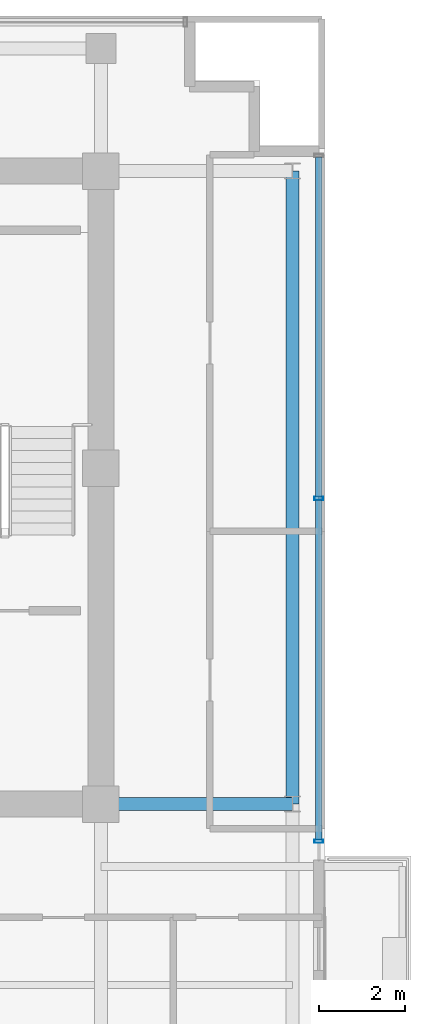
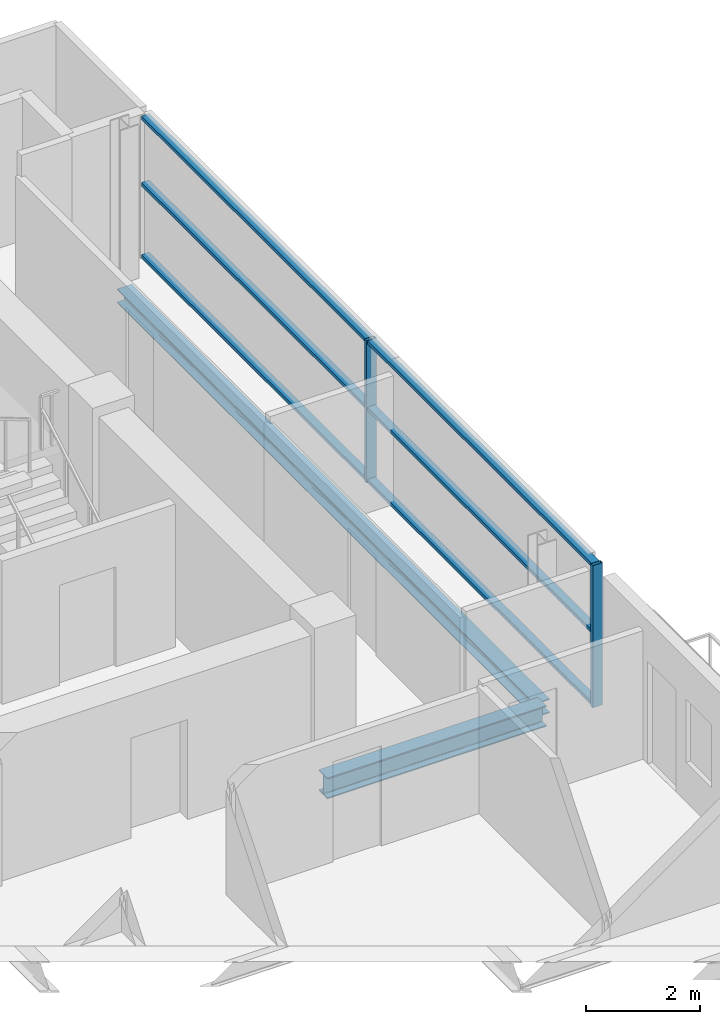
# One storey, part 11 of 23: 8 members, 2 beams, 1 element without a shape of its own.
"""IFC4 building model written with IfcOpenShell, lengths in metres."""

from ifc_helpers import new_model, si_unit, direction, frame, origin, origin_2d, place, context, subcontext, project, spatial, hollow_rectangle, i_section, extrude, source, transform, mapped, material, layer, layer_set, material_profile, profile_set, type_object, element, aggregate, save


model = new_model("IFC4")

# Units and contexts
model_context = context("Model", 3, precision=1e-05, world=origin(), true_north=direction((0.0, 1.0)))
body_context = subcontext(model_context, "Body", "Model", "MODEL_VIEW")
ifc_project = project(units=[si_unit("LENGTHUNIT", "METRE"), si_unit("AREAUNIT", "SQUARE_METRE"), si_unit("VOLUMEUNIT", "CUBIC_METRE"), si_unit("PLANEANGLEUNIT", "RADIAN"), si_unit("MASSUNIT", "GRAM", prefix="KILO")], contexts=[model_context])

# Site, building, storey
site_placement = place(None, origin())
site = spatial("IfcSite", under=ifc_project, at=site_placement, CompositionType="ELEMENT")
building_placement = place(site_placement, origin())
building = spatial("IfcBuilding", under=site, at=building_placement, Name="Zarnakvel Exchange Tower", CompositionType="ELEMENT")
storey_placement = place(building_placement, frame((0.0, 0.0, 212.199951171875)))
storey = spatial("IfcBuildingStorey", under=building, at=storey_placement, Name="L59", CompositionType="ELEMENT", Elevation=212.199951171875)

# Beams
ifc_material_1 = material(Name="Steel S355", Category="steel")
ifc_material_profile_1 = material_profile(ifc_material_1, i_section(OverallWidth=0.300048828125, OverallDepth=0.449951171875, WebThickness=0.013916015625, FlangeThickness=0.02587890625, FilletRadius=0.027099609375, at=origin_2d()))
ifc_profile_set_1 = profile_set([ifc_material_profile_1], Name="Steel S355")
beam_type_1 = type_object("IfcBeamType", Name="G-07", PredefinedType="BEAM", material=ifc_profile_set_1)
beam_1_placement = place(storey_placement, frame((14.39990234375, -1.199951171875, -0.449951171875), z_axis=(1.0, 0.0, 0.0), x_axis=(0.0, 1.0, 0.0)))
element("IfcBeam", 1, at=beam_1_placement, inside=storey, type_object=beam_type_1, Name="L59 Tower E-W Frame Beam", PredefinedType="BEAM", context=body_context, shape_type="SweptSolid", body=[
    extrude(i_section(OverallWidth=0.300048828125, OverallDepth=0.449951171875, WebThickness=0.013916015625, FlangeThickness=0.02587890625, FilletRadius=0.027099609375, at=origin_2d()), origin(), (0.0, 0.0, 1.0), 4.4501953125),
])
ifc_material_profile_2 = material_profile(ifc_material_1, i_section(OverallWidth=0.300048828125, OverallDepth=0.300048828125, WebThickness=0.010986328125, FlangeThickness=0.01904296875, FilletRadius=0.027099609375, at=origin_2d()))
ifc_profile_set_2 = profile_set([ifc_material_profile_2], Name="Steel S355")
beam_type_2 = type_object("IfcBeamType", Name="SP-03", PredefinedType="SPANDREL", material=ifc_profile_set_2)
beam_2_placement = place(storey_placement, frame((18.85009765625, -1.199951171875, -0.375), z_axis=(0.0, 1.0, 0.0), x_axis=(-1.0, 0.0, 0.0)))
element("IfcBeam", 2, at=beam_2_placement, inside=storey, type_object=beam_type_2, Name="L59 Tower N-S Frame Beam", PredefinedType="SPANDREL", context=body_context, shape_type="SweptSolid", body=[
    extrude(i_section(OverallWidth=0.300048828125, OverallDepth=0.300048828125, WebThickness=0.010986328125, FlangeThickness=0.01904296875, FilletRadius=0.027099609375, at=origin_2d()), origin(), (0.0, 0.0, 1.0), 14.699951171875),
])

# Curtain wall, members
ifc_material_2 = material(Name="Architectural Bronze Anodised Aluminium", Category="aluminium")
ifc_layer = layer(ifc_material_2, 0.199951171875)
ifc_layer_set = layer_set([ifc_layer], Name="Architectural Bronze Anodised Aluminium")
curtain_wall_type = type_object("IfcCurtainWallType", Name="CW-04", PredefinedType="NOTDEFINED", material=ifc_layer_set)
curtain_wall_placement = place(storey_placement, origin())
curtain_wall = element("IfcCurtainWall", 3, at=curtain_wall_placement, inside=storey, type_object=curtain_wall_type, Name="L59 Curtain Wall CW-L59-EN (CW-04)", PredefinedType="NOTDEFINED")
ifc_material_profile_3 = material_profile(ifc_material_2, hollow_rectangle(XDim=0.199951171875, YDim=0.074951171875, WallThickness=0.0048828125, at=origin_2d()))
ifc_profile_set_3 = profile_set([ifc_material_profile_3], Name="Architectural Bronze Anodised Aluminium")
member_type_1 = type_object("IfcMemberType", Name="CWM-04", PredefinedType="MULLION", material=ifc_profile_set_3)
shared_shape_1 = source(origin(), body_context, "Body", "SweptSolid", [
    extrude(hollow_rectangle(XDim=0.199951171875, YDim=0.074951171875, WallThickness=0.0048828125, at=origin_2d()), origin(), (0.0, 0.0, 1.0), 3.054931640625),
])
member_1_placement = place(storey_placement, frame((19.4599609375, -2.0625, 0.0), z_axis=(0.0, 0.0, 1.0), x_axis=(-1.0, 0.0, 0.0)))
member_1 = element("IfcMember", 4, at=member_1_placement, type_object=member_type_1, Name="CW-04 mullion 1", PredefinedType="MULLION", context=body_context, shape_type="MappedRepresentation", body=[
    mapped(shared_shape_1, transform((0.0, 0.0, 0.0), x_axis=(1.0, 0.0, 0.0), y_axis=(0.0, 1.0, 0.0), z_axis=(0.0, 0.0, 1.0), scale=1.0)),
])
member_2_placement = place(storey_placement, frame((19.4599609375, 5.89990234375, 0.0), z_axis=(0.0, 0.0, 1.0), x_axis=(-1.0, 0.0, 0.0)))
member_2 = element("IfcMember", 5, at=member_2_placement, type_object=member_type_1, Name="CW-04 mullion 2", PredefinedType="MULLION", context=body_context, shape_type="MappedRepresentation", body=[
    mapped(shared_shape_1, transform((0.0, 0.0, 0.0), x_axis=(1.0, 0.0, 0.0), y_axis=(0.0, 1.0, 0.0), z_axis=(0.0, 0.0, 1.0), scale=1.0)),
])
ifc_material_profile_4 = material_profile(ifc_material_2, hollow_rectangle(XDim=0.159912109375, YDim=0.074951171875, WallThickness=0.00390625, at=origin_2d()))
ifc_profile_set_4 = profile_set([ifc_material_profile_4], Name="Architectural Bronze Anodised Aluminium")
member_type_2 = type_object("IfcMemberType", Name="CWT-04", PredefinedType="USERDEFINED", material=ifc_profile_set_4)
shared_shape_2 = source(origin(), body_context, "Body", "SweptSolid", [
    extrude(hollow_rectangle(XDim=0.159912109375, YDim=0.074951171875, WallThickness=0.00390625, at=origin_2d()), origin(), (0.0, 0.0, 1.0), 7.887451171875),
])
member_3_placement = place(storey_placement, frame((19.4599609375, -2.02490234375, 0.03759765625), z_axis=(0.0, 1.0, 0.0), x_axis=(-1.0, 0.0, 0.0)))
member_3 = element("IfcMember", 6, at=member_3_placement, type_object=member_type_2, Name="CW-04 transom 1.1", ObjectType="TRANSOM", PredefinedType="USERDEFINED", context=body_context, shape_type="MappedRepresentation", body=[
    mapped(shared_shape_2, transform((0.0, 0.0, 0.0), x_axis=(1.0, 0.0, 0.0), y_axis=(0.0, 1.0, 0.0), z_axis=(0.0, 0.0, 1.0), scale=1.0)),
])
member_4_placement = place(storey_placement, frame((19.4599609375, -2.02490234375, 1.588623046875), z_axis=(0.0, 1.0, 0.0), x_axis=(-1.0, 0.0, 0.0)))
member_4 = element("IfcMember", 7, at=member_4_placement, type_object=member_type_2, Name="CW-04 transom 1.2", ObjectType="TRANSOM", PredefinedType="USERDEFINED", context=body_context, shape_type="MappedRepresentation", body=[
    mapped(shared_shape_2, transform((0.0, 0.0, 0.0), x_axis=(1.0, 0.0, 0.0), y_axis=(0.0, 1.0, 0.0), z_axis=(0.0, 0.0, 1.0), scale=1.0)),
])
member_5_placement = place(storey_placement, frame((19.4599609375, -2.02490234375, 3.017578125), z_axis=(0.0, 1.0, 0.0), x_axis=(-1.0, 0.0, 0.0)))
member_5 = element("IfcMember", 8, at=member_5_placement, type_object=member_type_2, Name="CW-04 transom 1.3", ObjectType="TRANSOM", PredefinedType="USERDEFINED", context=body_context, shape_type="MappedRepresentation", body=[
    mapped(shared_shape_2, transform((0.0, 0.0, 0.0), x_axis=(1.0, 0.0, 0.0), y_axis=(0.0, 1.0, 0.0), z_axis=(0.0, 0.0, 1.0), scale=1.0)),
])
member_6_placement = place(storey_placement, frame((19.4599609375, 5.9375, 0.03759765625), z_axis=(0.0, 1.0, 0.0), x_axis=(-1.0, 0.0, 0.0)))
member_6 = element("IfcMember", 9, at=member_6_placement, type_object=member_type_2, Name="CW-04 transom 2.1", ObjectType="TRANSOM", PredefinedType="USERDEFINED", context=body_context, shape_type="MappedRepresentation", body=[
    mapped(shared_shape_2, transform((0.0, 0.0, 0.0), x_axis=(1.0, 0.0, 0.0), y_axis=(0.0, 1.0, 0.0), z_axis=(0.0, 0.0, 1.0), scale=1.0)),
])
member_7_placement = place(storey_placement, frame((19.4599609375, 5.9375, 1.588623046875), z_axis=(0.0, 1.0, 0.0), x_axis=(-1.0, 0.0, 0.0)))
member_7 = element("IfcMember", 10, at=member_7_placement, type_object=member_type_2, Name="CW-04 transom 2.2", ObjectType="TRANSOM", PredefinedType="USERDEFINED", context=body_context, shape_type="MappedRepresentation", body=[
    mapped(shared_shape_2, transform((0.0, 0.0, 0.0), x_axis=(1.0, 0.0, 0.0), y_axis=(0.0, 1.0, 0.0), z_axis=(0.0, 0.0, 1.0), scale=1.0)),
])
member_8_placement = place(storey_placement, frame((19.4599609375, 5.9375, 3.017578125), z_axis=(0.0, 1.0, 0.0), x_axis=(-1.0, 0.0, 0.0)))
member_8 = element("IfcMember", 11, at=member_8_placement, type_object=member_type_2, Name="CW-04 transom 2.3", ObjectType="TRANSOM", PredefinedType="USERDEFINED", context=body_context, shape_type="MappedRepresentation", body=[
    mapped(shared_shape_2, transform((0.0, 0.0, 0.0), x_axis=(1.0, 0.0, 0.0), y_axis=(0.0, 1.0, 0.0), z_axis=(0.0, 0.0, 1.0), scale=1.0)),
])
aggregate(curtain_wall, [member_1, member_2, member_3, member_4, member_5, member_6, member_7, member_8])

save(model, "model.ifc")
